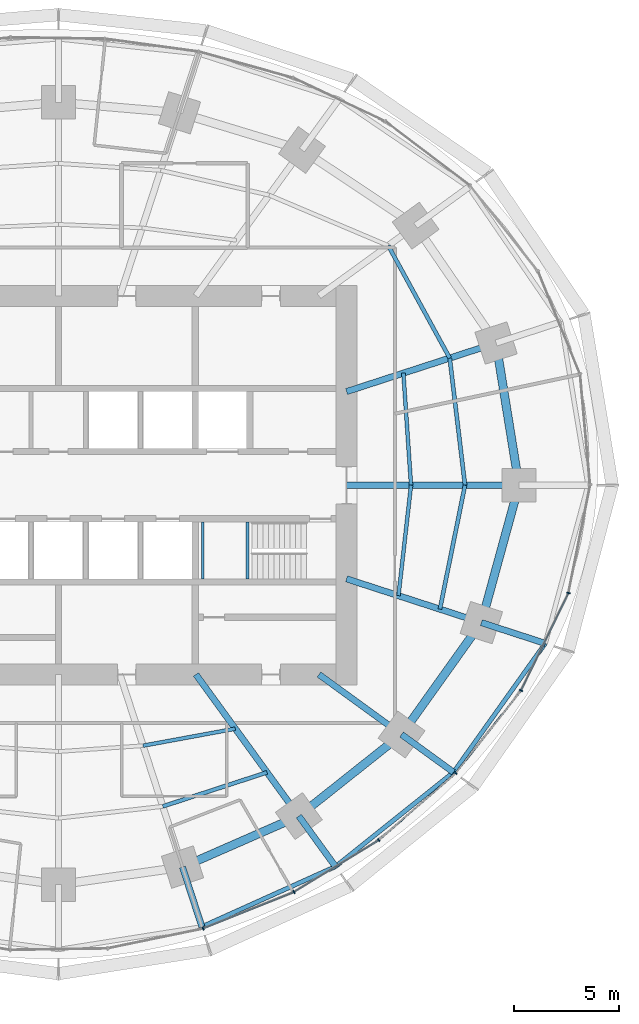
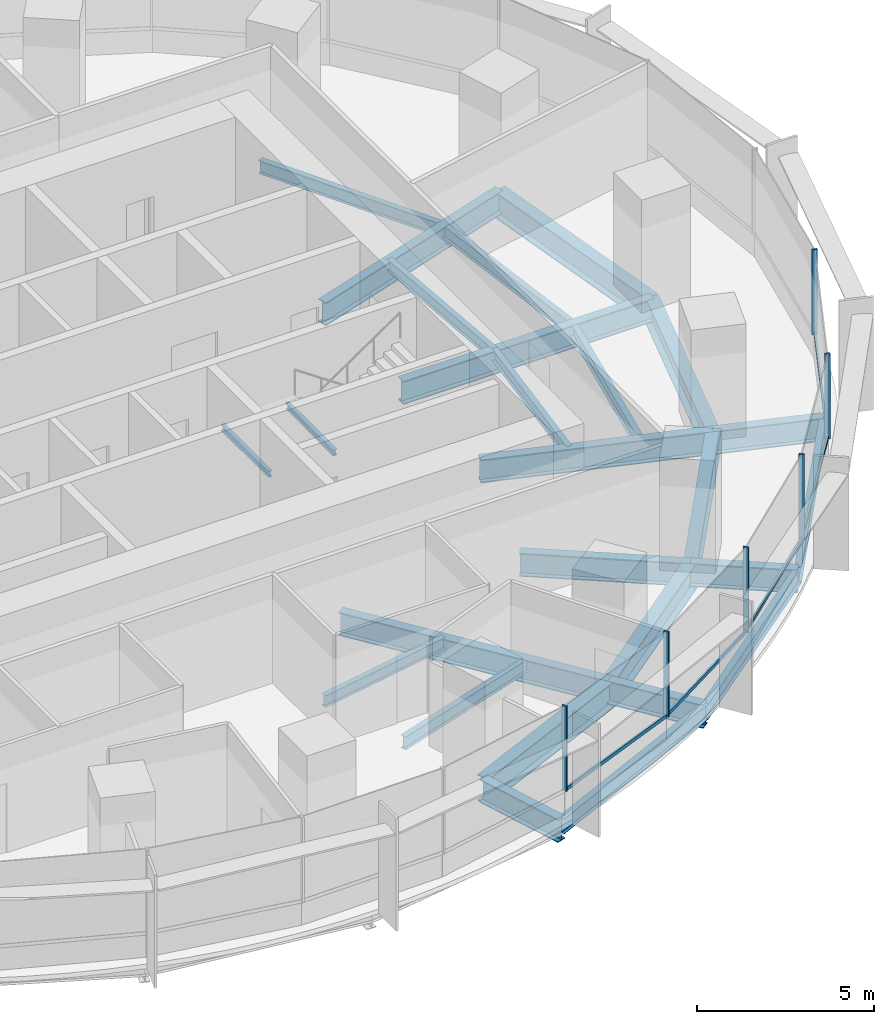
# One storey, part 5 of 14: 26 beams, 11 members, 2 elements without a shape of their own.
"""IFC4 building model written with IfcOpenShell, lengths in metres."""

from ifc_helpers import new_model, si_unit, direction, frame, origin, origin_2d, place, context, subcontext, project, spatial, rectangle, i_section, extrude, material, material_profile, profile_set, type_object, element, aggregate, save


model = new_model("IFC4")

# Units and contexts
model_context = context("Model", 3, precision=1e-05, world=origin(), true_north=direction((0.0, 1.0)))
body_context = subcontext(model_context, "Body", "Model", "MODEL_VIEW")
ifc_project = project(units=[si_unit("LENGTHUNIT", "METRE"), si_unit("AREAUNIT", "SQUARE_METRE"), si_unit("VOLUMEUNIT", "CUBIC_METRE"), si_unit("PLANEANGLEUNIT", "RADIAN"), si_unit("MASSUNIT", "GRAM", prefix="KILO")], contexts=[model_context])

# Site, building, storey
site_placement = place(None, origin())
site = spatial("IfcSite", under=ifc_project, at=site_placement, CompositionType="ELEMENT")
building_placement = place(site_placement, origin())
building = spatial("IfcBuilding", under=site, at=building_placement, Name="Marramba Exchange Tower", CompositionType="ELEMENT")
storey_placement = place(building_placement, frame((0.0, 0.0, 111.89990234375)))
storey = spatial("IfcBuildingStorey", under=building, at=storey_placement, Name="L26", CompositionType="ELEMENT", Elevation=111.89990234375)

# Beams
ifc_material_1 = material(Name="Steel AS/NZS 3679.2 grade 300", Category="steel")
ifc_material_profile_1 = material_profile(ifc_material_1, i_section(OverallWidth=0.300048828125, OverallDepth=0.800048828125, WebThickness=0.013916015625, FlangeThickness=0.031982421875, at=origin_2d()), Name="800WB192")
ifc_profile_set_1 = profile_set([ifc_material_profile_1], Name="Steel AS/NZS 3679.2 grade 300")
beam_type_1 = type_object("IfcBeamType", Name="Cantilever girder 800WB192", PredefinedType="BEAM", material=ifc_profile_set_1)
beam_1_placement = place(storey_placement, frame((5.899658203125, -18.156982421875, -0.559814453125), z_axis=(0.30903246226, -0.951051490336, 0.0), x_axis=(0.951051490336, 0.30903246226, 0.0)))
element("IfcBeam", 1, at=beam_1_placement, inside=storey, type_object=beam_type_1, Name="Cantilever girder L26 TC17", PredefinedType="BEAM", context=body_context, shape_type="SweptSolid", body=[
    extrude(i_section(OverallWidth=0.300048828125, OverallDepth=0.800048828125, WebThickness=0.013916015625, FlangeThickness=0.031982421875, at=origin_2d()), origin(), (0.0, 0.0, 1.0), 2.986328125),
])
beam_2_placement = place(storey_placement, frame((11.430419921875, -15.732666015625, -0.559814453125), z_axis=(0.587794986183, -0.8090099222, 0.0), x_axis=(0.8090099222, 0.587794986183, 0.0)))
element("IfcBeam", 2, at=beam_2_placement, inside=storey, type_object=beam_type_1, Name="Cantilever girder L26 TC18", PredefinedType="BEAM", context=body_context, shape_type="SweptSolid", body=[
    extrude(i_section(OverallWidth=0.300048828125, OverallDepth=0.800048828125, WebThickness=0.013916015625, FlangeThickness=0.031982421875, at=origin_2d()), origin(), (0.0, 0.0, 1.0), 2.9677734375),
])
beam_3_placement = place(storey_placement, frame((16.3154296875, -11.853759765625, -0.559814453125), z_axis=(0.809026231081, -0.587772538847, 0.0), x_axis=(0.587772538847, 0.809026231081, 0.0)))
element("IfcBeam", 3, at=beam_3_placement, inside=storey, type_object=beam_type_1, Name="Cantilever girder L26 TC19", PredefinedType="BEAM", context=body_context, shape_type="SweptSolid", body=[
    extrude(i_section(OverallWidth=0.300048828125, OverallDepth=0.800048828125, WebThickness=0.013916015625, FlangeThickness=0.031982421875, at=origin_2d()), origin(), (0.0, 0.0, 1.0), 3.055419921875),
])
beam_4_placement = place(storey_placement, frame((20.109375, -6.533935546875, -0.559814453125), z_axis=(0.951054839063, -0.309022156318, 0.0), x_axis=(0.309022156318, 0.951054839063, 0.0)))
element("IfcBeam", 4, at=beam_4_placement, inside=storey, type_object=beam_type_1, Name="Cantilever girder L26 TC20", PredefinedType="BEAM", context=body_context, shape_type="SweptSolid", body=[
    extrude(i_section(OverallWidth=0.300048828125, OverallDepth=0.800048828125, WebThickness=0.013916015625, FlangeThickness=0.031982421875, at=origin_2d()), origin(), (0.0, 0.0, 1.0), 3.19580078125),
])
ifc_material_2 = material(Name="Steel AS/NZS 3679.1 grade 300", Category="steel")
ifc_material_profile_2 = material_profile(ifc_material_2, i_section(OverallWidth=0.177978515625, OverallDepth=0.406005859375, WebThickness=0.0078125, FlangeThickness=0.0126953125, FilletRadius=0.011474609375, at=origin_2d()), Name="410UB59.7")
ifc_profile_set_2 = profile_set([ifc_material_profile_2], Name="Steel AS/NZS 3679.1 grade 300")
beam_type_2 = type_object("IfcBeamType", Name="Floor joist 410UB59.7", PredefinedType="JOIST", material=ifc_profile_set_2)
beam_5_placement = place(storey_placement, frame((16.7666015625, 0.0, -0.36279296875), z_axis=(-0.068096259546, 0.99767875563, 0.0), x_axis=(-0.99767875563, -0.068096259546, 0.0)))
element("IfcBeam", 5, at=beam_5_placement, inside=storey, type_object=beam_type_2, Name="Joist L26 bay 01 row 1", PredefinedType="JOIST", context=body_context, shape_type="SweptSolid", body=[
    extrude(i_section(OverallWidth=0.177978515625, OverallDepth=0.406005859375, WebThickness=0.0078125, FlangeThickness=0.0126953125, FilletRadius=0.011474609375, at=origin_2d()), origin(), (0.0, 0.0, 1.0), 5.342041015625),
])
beam_6_placement = place(storey_placement, frame((4.0244140625, -12.3857421875, -0.36279296875), z_axis=(0.983455754421, 0.181148500119, 0.0), x_axis=(-0.181148500119, 0.983455754421, 0.0)))
element("IfcBeam", 6, at=beam_6_placement, inside=storey, type_object=beam_type_2, Name="Joist L26 bay 17 row 1", PredefinedType="JOIST", context=body_context, shape_type="SweptSolid", body=[
    extrude(i_section(OverallWidth=0.177978515625, OverallDepth=0.406005859375, WebThickness=0.0078125, FlangeThickness=0.0126953125, FilletRadius=0.011474609375, at=origin_2d()), origin(), (0.0, 0.0, 1.0), 4.4609375),
])
beam_7_placement = place(storey_placement, frame((16.169677734375, -5.25390625, -0.36279296875), z_axis=(0.112888968594, 0.993607609054, 0.0), x_axis=(-0.993607609054, 0.112888968594, 0.0)))
element("IfcBeam", 7, at=beam_7_placement, inside=storey, type_object=beam_type_2, Name="Joist L26 bay 20 row 1", PredefinedType="JOIST", context=body_context, shape_type="SweptSolid", body=[
    extrude(i_section(OverallWidth=0.177978515625, OverallDepth=0.406005859375, WebThickness=0.0078125, FlangeThickness=0.0126953125, FilletRadius=0.011474609375, at=origin_2d()), origin(), (0.0, 0.0, 1.0), 5.28759765625),
])
ifc_material_profile_3 = material_profile(ifc_material_2, i_section(OverallWidth=0.18994140625, OverallDepth=0.4541015625, WebThickness=0.008544921875, FlangeThickness=0.0126953125, FilletRadius=0.011474609375, at=origin_2d()), Name="460UB67.1")
ifc_profile_set_3 = profile_set([ifc_material_profile_3], Name="Steel AS/NZS 3679.1 grade 300")
beam_type_3 = type_object("IfcBeamType", Name="Floor joist 460UB67.1", PredefinedType="JOIST", material=ifc_profile_set_3)
beam_8_placement = place(storey_placement, frame((19.333251953125, 0.0, -0.386962890625), z_axis=(-0.119523078538, 0.992831422597, 0.0), x_axis=(-0.992831422597, -0.119523078538, 0.0)))
element("IfcBeam", 8, at=beam_8_placement, inside=storey, type_object=beam_type_3, Name="Joist L26 bay 01 row 2", PredefinedType="JOIST", context=body_context, shape_type="SweptSolid", body=[
    extrude(i_section(OverallWidth=0.18994140625, OverallDepth=0.4541015625, WebThickness=0.008544921875, FlangeThickness=0.0126953125, FilletRadius=0.011474609375, at=origin_2d()), origin(), (0.0, 0.0, 1.0), 6.089111328125),
])
beam_9_placement = place(storey_placement, frame((18.60546875, 6.04541015625, -0.386962890625), z_axis=(-0.479584443791, 0.877495732909, 0.0), x_axis=(-0.877495732909, -0.479584443791, 0.0)))
element("IfcBeam", 9, at=beam_9_placement, inside=storey, type_object=beam_type_3, Name="Joist L26 bay 02 row 2", PredefinedType="JOIST", context=body_context, shape_type="SweptSolid", body=[
    extrude(i_section(OverallWidth=0.18994140625, OverallDepth=0.4541015625, WebThickness=0.008544921875, FlangeThickness=0.0126953125, FilletRadius=0.011474609375, at=origin_2d()), origin(), (0.0, 0.0, 1.0), 6.094970703125),
])
beam_10_placement = place(storey_placement, frame((4.9619140625, -15.271484375, -0.386962890625), z_axis=(0.950764024931, 0.309915744834, 0.0), x_axis=(-0.309915744834, 0.950764024931, 0.0)))
element("IfcBeam", 10, at=beam_10_placement, inside=storey, type_object=beam_type_3, Name="Joist L26 bay 17 row 2", PredefinedType="JOIST", context=body_context, shape_type="SweptSolid", body=[
    extrude(i_section(OverallWidth=0.18994140625, OverallDepth=0.4541015625, WebThickness=0.008544921875, FlangeThickness=0.0126953125, FilletRadius=0.011474609375, at=origin_2d()), origin(), (0.0, 0.0, 1.0), 5.2158203125),
])
beam_11_placement = place(storey_placement, frame((18.1396484375, -5.893798828125, -0.386962890625), z_axis=(0.198489047047, 0.980103105904, 0.0), x_axis=(-0.980103105904, 0.198489047047, 0.0)))
element("IfcBeam", 11, at=beam_11_placement, inside=storey, type_object=beam_type_3, Name="Joist L26 bay 20 row 2", PredefinedType="JOIST", context=body_context, shape_type="SweptSolid", body=[
    extrude(i_section(OverallWidth=0.18994140625, OverallDepth=0.4541015625, WebThickness=0.008544921875, FlangeThickness=0.0126953125, FilletRadius=0.011474609375, at=origin_2d()), origin(), (0.0, 0.0, 1.0), 6.013427734375),
])

# Curtain wall, member
ifc_material_3 = material(Name="Aluminium framing, bronze anodised", Category="aluminium")
curtain_wall_type = type_object("IfcCurtainWallType", Name="Office ribbon curtain wall", PredefinedType="USERDEFINED", material=ifc_material_3)
curtain_wall_1_placement = place(storey_placement, origin())
curtain_wall_1 = element("IfcCurtainWall", 12, at=curtain_wall_1_placement, inside=storey, type_object=curtain_wall_type, Name="Curtain wall CW4 L26 F21-F25", ObjectType="RIBBON CURTAIN WALL", PredefinedType="USERDEFINED")
ifc_material_4 = material(Name="Aluminium mullion, bronze anodised", Category="aluminium")
ifc_material_profile_4 = material_profile(ifc_material_4, rectangle(XDim=0.159912109375, YDim=0.06005859375, at=origin_2d()), Name="CW4 mullion 60x160")
ifc_profile_set_4 = profile_set([ifc_material_profile_4], Name="Aluminium mullion, bronze anodised")
member_type_1 = type_object("IfcMemberType", Name="Office ribbon curtain wall mullion", PredefinedType="MULLION", material=ifc_profile_set_4)
member_1_placement = place(storey_placement, frame((6.881103515625, -21.0810546875, 0.800048828125), z_axis=(0.0, 0.0, 1.0), x_axis=(-0.372209067082, 0.928148916059, 0.0)))
member_1 = element("IfcMember", 13, at=member_1_placement, type_object=member_type_1, Name="CW4 mullion 1", PredefinedType="MULLION", context=body_context, shape_type="SweptSolid", body=[
    extrude(rectangle(XDim=0.159912109375, YDim=0.06005859375, at=origin_2d()), origin(), (0.0, 0.0, 1.0), 2.93994140625),
])

# Curtain wall, members
curtain_wall_2_placement = place(storey_placement, origin())
curtain_wall_2 = element("IfcCurtainWall", 14, at=curtain_wall_2_placement, inside=storey, type_object=curtain_wall_type, Name="Curtain wall CW4 L26 F26-F30", ObjectType="RIBBON CURTAIN WALL", PredefinedType="USERDEFINED")
member_2_placement = place(storey_placement, frame((11.2021484375, -19.3427734375, 0.800048828125), z_axis=(0.0, 0.0, 1.0), x_axis=(-0.521732535664, 0.853109114492, 0.0)))
member_2 = element("IfcMember", 15, at=member_2_placement, type_object=member_type_1, Name="CW4 mullion 1", PredefinedType="MULLION", context=body_context, shape_type="SweptSolid", body=[
    extrude(rectangle(XDim=0.159912109375, YDim=0.06005859375, at=origin_2d()), origin(), (0.0, 0.0, 1.0), 2.93994140625),
])
member_3_placement = place(storey_placement, frame((15.232177734375, -16.872314453125, 0.800048828125), z_axis=(0.0, 0.0, 1.0), x_axis=(-0.656431647438, 0.754385506384, 0.0)))
member_3 = element("IfcMember", 16, at=member_3_placement, type_object=member_type_1, Name="CW4 mullion 1", PredefinedType="MULLION", context=body_context, shape_type="SweptSolid", body=[
    extrude(rectangle(XDim=0.159912109375, YDim=0.06005859375, at=origin_2d()), origin(), (0.0, 0.0, 1.0), 2.93994140625),
])
member_4_placement = place(storey_placement, frame((18.886962890625, -13.68505859375, 0.800048828125), z_axis=(0.0, 0.0, 1.0), x_axis=(-0.783170139469, 0.621807472329, 0.0)))
member_4 = element("IfcMember", 17, at=member_4_placement, type_object=member_type_1, Name="CW4 mullion 1", PredefinedType="MULLION", context=body_context, shape_type="SweptSolid", body=[
    extrude(rectangle(XDim=0.159912109375, YDim=0.06005859375, at=origin_2d()), origin(), (0.0, 0.0, 1.0), 2.93994140625),
])
member_5_placement = place(storey_placement, frame((21.994873046875, -9.760009765625, 0.800048828125), z_axis=(0.0, 0.0, 1.0), x_axis=(-0.89844486976, 0.439086342308, 0.0)))
member_5 = element("IfcMember", 18, at=member_5_placement, type_object=member_type_1, Name="CW4 mullion 1", PredefinedType="MULLION", context=body_context, shape_type="SweptSolid", body=[
    extrude(rectangle(XDim=0.159912109375, YDim=0.06005859375, at=origin_2d()), origin(), (0.0, 0.0, 1.0), 2.93994140625),
])
member_6_placement = place(storey_placement, frame((24.252197265625, -5.124267578125, 0.800048828125), z_axis=(0.0, 0.0, 1.0), x_axis=(-0.980393739376, 0.197048511267, 0.0)))
member_6 = element("IfcMember", 19, at=member_6_placement, type_object=member_type_1, Name="CW4 mullion 1", PredefinedType="MULLION", context=body_context, shape_type="SweptSolid", body=[
    extrude(rectangle(XDim=0.159912109375, YDim=0.06005859375, at=origin_2d()), origin(), (0.0, 0.0, 1.0), 2.93994140625),
])

# Member
ifc_material_5 = material(Name="Aluminium transom, bronze anodised", Category="aluminium")
ifc_material_profile_5 = material_profile(ifc_material_5, rectangle(XDim=0.06005859375, YDim=0.1201171875, at=origin_2d()), Name="CW4 transom 60x120")
ifc_profile_set_5 = profile_set([ifc_material_profile_5], Name="Aluminium transom, bronze anodised")
member_type_2 = type_object("IfcMemberType", Name="Office ribbon curtain wall transom", PredefinedType="USERDEFINED", material=ifc_profile_set_5)
member_7_placement = place(storey_placement, frame((6.908935546875, -21.06982421875, 0.830078125), z_axis=(0.928146753748, 0.372214459026, 0.0), x_axis=(-0.372214459026, 0.928146753748, 0.0)))
member_7 = element("IfcMember", 20, at=member_7_placement, type_object=member_type_2, Name="CW4 sill transom", ObjectType="TRANSOM", PredefinedType="USERDEFINED", context=body_context, shape_type="SweptSolid", body=[
    extrude(rectangle(XDim=0.06005859375, YDim=0.1201171875, at=origin_2d()), origin(), (0.0, 0.0, 1.0), 4.597900390625),
])

aggregate(curtain_wall_1, [member_1, member_7])

member_8_placement = place(storey_placement, frame((11.227783203125, -19.3271484375, 0.830078125), z_axis=(0.853124051379, 0.52170811088, 0.0), x_axis=(-0.52170811088, 0.853124051379, 0.0)))
member_8 = element("IfcMember", 21, at=member_8_placement, type_object=member_type_2, Name="CW4 sill transom", ObjectType="TRANSOM", PredefinedType="USERDEFINED", context=body_context, shape_type="SweptSolid", body=[
    extrude(rectangle(XDim=0.06005859375, YDim=0.1201171875, at=origin_2d()), origin(), (0.0, 0.0, 1.0), 4.66748046875),
])

member_9_placement = place(storey_placement, frame((15.2548828125, -16.8525390625, 0.830078125), z_axis=(0.754392594189, 0.65642350189, 0.0), x_axis=(-0.65642350189, 0.754392594189, 0.0)))
member_9 = element("IfcMember", 22, at=member_9_placement, type_object=member_type_2, Name="CW4 sill transom", ObjectType="TRANSOM", PredefinedType="USERDEFINED", context=body_context, shape_type="SweptSolid", body=[
    extrude(rectangle(XDim=0.06005859375, YDim=0.1201171875, at=origin_2d()), origin(), (0.0, 0.0, 1.0), 4.78955078125),
])

member_10_placement = place(storey_placement, frame((18.905517578125, -13.66162109375, 0.830078125), z_axis=(0.621777997945, 0.783193540111, 0.0), x_axis=(-0.783193540111, 0.621777997945, 0.0)))
member_10 = element("IfcMember", 23, at=member_10_placement, type_object=member_type_2, Name="CW4 sill transom", ObjectType="TRANSOM", PredefinedType="USERDEFINED", context=body_context, shape_type="SweptSolid", body=[
    extrude(rectangle(XDim=0.06005859375, YDim=0.1201171875, at=origin_2d()), origin(), (0.0, 0.0, 1.0), 4.947265625),
])

member_11_placement = place(storey_placement, frame((22.008056640625, -9.73291015625, 0.830078125), z_axis=(0.439090714557, 0.898442732949, 0.0), x_axis=(-0.898442732949, 0.439090714557, 0.0)))
member_11 = element("IfcMember", 24, at=member_11_placement, type_object=member_type_2, Name="CW4 sill transom", ObjectType="TRANSOM", PredefinedType="USERDEFINED", context=body_context, shape_type="SweptSolid", body=[
    extrude(rectangle(XDim=0.06005859375, YDim=0.1201171875, at=origin_2d()), origin(), (0.0, 0.0, 1.0), 5.096923828125),
])

aggregate(curtain_wall_2, [member_2, member_8, member_3, member_9, member_4, member_10, member_5, member_11, member_6])

# Beams
ifc_material_profile_6 = material_profile(ifc_material_1, i_section(OverallWidth=0.300048828125, OverallDepth=0.800048828125, WebThickness=0.013916015625, FlangeThickness=0.031982421875, at=origin_2d()), Name="800WB192")
ifc_profile_set_6 = profile_set([ifc_material_profile_6], Name="Steel AS/NZS 3679.2 grade 300")
beam_type_4 = type_object("IfcBeamType", Name="Radial girder 800WB192", PredefinedType="BEAM", material=ifc_profile_set_6)
beam_12_placement = place(storey_placement, frame((13.699951171875, 0.0, -0.559814453125), z_axis=(1.0, 0.0, 0.0), x_axis=(0.0, 1.0, 0.0)))
element("IfcBeam", 25, at=beam_12_placement, inside=storey, type_object=beam_type_4, Name="Radial girder L26 TC01", PredefinedType="BEAM", context=body_context, shape_type="SweptSolid", body=[
    extrude(i_section(OverallWidth=0.300048828125, OverallDepth=0.800048828125, WebThickness=0.013916015625, FlangeThickness=0.031982421875, at=origin_2d()), origin(), (0.0, 0.0, 1.0), 8.199951171875),
])
beam_13_placement = place(storey_placement, frame((13.699951171875, 4.451416015625, -0.559814453125), z_axis=(0.951059990189, 0.309006302624, 0.0), x_axis=(-0.309006302624, 0.951059990189, 0.0)))
element("IfcBeam", 26, at=beam_13_placement, inside=storey, type_object=beam_type_4, Name="Radial girder L26 TC02", PredefinedType="BEAM", context=body_context, shape_type="SweptSolid", body=[
    extrude(i_section(OverallWidth=0.300048828125, OverallDepth=0.800048828125, WebThickness=0.013916015625, FlangeThickness=0.031982421875, at=origin_2d()), origin(), (0.0, 0.0, 1.0), 7.47412109375),
])
beam_14_placement = place(storey_placement, frame((6.538818359375, -9.0, -0.559814453125), z_axis=(0.587787877172, -0.809015087282, 0.0), x_axis=(0.809015087282, 0.587787877172, 0.0)))
element("IfcBeam", 27, at=beam_14_placement, inside=storey, type_object=beam_type_4, Name="Radial girder L26 TC18", PredefinedType="BEAM", context=body_context, shape_type="SweptSolid", body=[
    extrude(i_section(OverallWidth=0.300048828125, OverallDepth=0.800048828125, WebThickness=0.013916015625, FlangeThickness=0.031982421875, at=origin_2d()), origin(), (0.0, 0.0, 1.0), 8.322021484375),
])
beam_15_placement = place(storey_placement, frame((12.387451171875, -9.0, -0.559814453125), z_axis=(0.809025189606, -0.58777397236, 0.0), x_axis=(0.58777397236, 0.809025189606, 0.0)))
element("IfcBeam", 28, at=beam_15_placement, inside=storey, type_object=beam_type_4, Name="Radial girder L26 TC19", PredefinedType="BEAM", context=body_context, shape_type="SweptSolid", body=[
    extrude(i_section(OverallWidth=0.300048828125, OverallDepth=0.800048828125, WebThickness=0.013916015625, FlangeThickness=0.031982421875, at=origin_2d()), origin(), (0.0, 0.0, 1.0), 4.855224609375),
])
beam_16_placement = place(storey_placement, frame((13.699951171875, -4.451416015625, -0.559814453125), z_axis=(0.951057759669, -0.309013167637, 0.0), x_axis=(0.309013167637, 0.951057759669, 0.0)))
element("IfcBeam", 29, at=beam_16_placement, inside=storey, type_object=beam_type_4, Name="Radial girder L26 TC20", PredefinedType="BEAM", context=body_context, shape_type="SweptSolid", body=[
    extrude(i_section(OverallWidth=0.300048828125, OverallDepth=0.800048828125, WebThickness=0.013916015625, FlangeThickness=0.031982421875, at=origin_2d()), origin(), (0.0, 0.0, 1.0), 6.7392578125),
])
ifc_material_profile_7 = material_profile(ifc_material_1, i_section(OverallWidth=0.39990234375, OverallDepth=0.89990234375, WebThickness=0.01611328125, FlangeThickness=0.031982421875, at=origin_2d()), Name="900WB282")
ifc_profile_set_7 = profile_set([ifc_material_profile_7], Name="Steel AS/NZS 3679.2 grade 300")
beam_type_5 = type_object("IfcBeamType", Name="Ring beam 900WB282", PredefinedType="SPANDREL", material=ifc_profile_set_7)
beam_17_placement = place(storey_placement, frame((21.89990234375, 0.0, -0.60986328125), z_axis=(-0.159384865399, 0.987216523708, 0.0), x_axis=(-0.987216523708, -0.159384865399, 0.0)))
element("IfcBeam", 30, at=beam_17_placement, inside=storey, type_object=beam_type_5, Name="Ring beam L26 TC01-TC02", PredefinedType="SPANDREL", context=body_context, shape_type="SweptSolid", body=[
    extrude(i_section(OverallWidth=0.39990234375, OverallDepth=0.89990234375, WebThickness=0.01611328125, FlangeThickness=0.031982421875, at=origin_2d()), origin(), (0.0, 0.0, 1.0), 6.8486328125),
])
beam_18_placement = place(storey_placement, frame((5.899658203125, -18.156982421875, -0.60986328125), z_axis=(0.915876892158, 0.4014592363, 0.0), x_axis=(-0.4014592363, 0.915876892158, 0.0)))
element("IfcBeam", 31, at=beam_18_placement, inside=storey, type_object=beam_type_5, Name="Ring beam L26 TC17-TC18", PredefinedType="SPANDREL", context=body_context, shape_type="SweptSolid", body=[
    extrude(i_section(OverallWidth=0.39990234375, OverallDepth=0.89990234375, WebThickness=0.01611328125, FlangeThickness=0.031982421875, at=origin_2d()), origin(), (0.0, 0.0, 1.0), 6.038818359375),
])
beam_19_placement = place(storey_placement, frame((11.430419921875, -15.732666015625, -0.60986328125), z_axis=(0.783139438128, 0.621846138887, 0.0), x_axis=(-0.621846138887, 0.783139438128, 0.0)))
element("IfcBeam", 32, at=beam_19_placement, inside=storey, type_object=beam_type_5, Name="Ring beam L26 TC18-TC19", PredefinedType="SPANDREL", context=body_context, shape_type="SweptSolid", body=[
    extrude(i_section(OverallWidth=0.39990234375, OverallDepth=0.89990234375, WebThickness=0.01611328125, FlangeThickness=0.031982421875, at=origin_2d()), origin(), (0.0, 0.0, 1.0), 6.23779296875),
])
beam_20_placement = place(storey_placement, frame((16.3154296875, -11.853759765625, -0.60986328125), z_axis=(0.580637181111, 0.814162430914, 0.0), x_axis=(-0.814162430914, 0.580637181111, 0.0)))
element("IfcBeam", 33, at=beam_20_placement, inside=storey, type_object=beam_type_5, Name="Ring beam L26 TC19-TC20", PredefinedType="SPANDREL", context=body_context, shape_type="SweptSolid", body=[
    extrude(i_section(OverallWidth=0.39990234375, OverallDepth=0.89990234375, WebThickness=0.01611328125, FlangeThickness=0.031982421875, at=origin_2d()), origin(), (0.0, 0.0, 1.0), 6.5341796875),
])
beam_21_placement = place(storey_placement, frame((20.109375, -6.533935546875, -0.60986328125), z_axis=(0.264291166956, 0.964442937176, 0.0), x_axis=(-0.964442937176, 0.264291166956, 0.0)))
element("IfcBeam", 34, at=beam_21_placement, inside=storey, type_object=beam_type_5, Name="Ring beam L26 TC20-TC01", PredefinedType="SPANDREL", context=body_context, shape_type="SweptSolid", body=[
    extrude(i_section(OverallWidth=0.39990234375, OverallDepth=0.89990234375, WebThickness=0.01611328125, FlangeThickness=0.031982421875, at=origin_2d()), origin(), (0.0, 0.0, 1.0), 6.77490234375),
])
ifc_material_profile_8 = material_profile(ifc_material_2, i_section(OverallWidth=0.208984375, OverallDepth=0.528076171875, WebThickness=0.009521484375, FlangeThickness=0.01318359375, FilletRadius=0.013916015625, at=origin_2d()), Name="530UB82.0")
ifc_profile_set_8 = profile_set([ifc_material_profile_8], Name="Steel AS/NZS 3679.1 grade 300")
beam_type_6 = type_object("IfcBeamType", Name="Slab edge beam 530UB82.0", PredefinedType="SPANDREL", material=ifc_profile_set_8)
beam_22_placement = place(storey_placement, frame((6.822509765625, -20.9970703125, -0.423828125), z_axis=(0.911653171624, 0.410960453898, 0.0), x_axis=(-0.410960453898, 0.911653171624, 0.0)))
element("IfcBeam", 35, at=beam_22_placement, inside=storey, type_object=beam_type_6, Name="Slab edge beam L26 TC17-TC18", PredefinedType="SPANDREL", context=body_context, shape_type="SweptSolid", body=[
    extrude(i_section(OverallWidth=0.208984375, OverallDepth=0.528076171875, WebThickness=0.009521484375, FlangeThickness=0.01318359375, FilletRadius=0.013916015625, at=origin_2d()), origin(), (0.0, 0.0, 1.0), 6.9677734375),
])
beam_23_placement = place(storey_placement, frame((13.1748046875, -18.133544921875, -0.423828125), z_axis=(0.781286404457, 0.624172695822, 0.0), x_axis=(-0.624172695822, 0.781286404457, 0.0)))
element("IfcBeam", 36, at=beam_23_placement, inside=storey, type_object=beam_type_6, Name="Slab edge beam L26 TC18-TC19", PredefinedType="SPANDREL", context=body_context, shape_type="SweptSolid", body=[
    extrude(i_section(OverallWidth=0.208984375, OverallDepth=0.528076171875, WebThickness=0.009521484375, FlangeThickness=0.01318359375, FilletRadius=0.013916015625, at=origin_2d()), origin(), (0.0, 0.0, 1.0), 7.183837890625),
])
beam_24_placement = place(storey_placement, frame((18.787353515625, -13.649658203125, -0.423828125), z_axis=(0.579834168245, 0.814734519543, 0.0), x_axis=(-0.814734519543, 0.579834168245, 0.0)))
element("IfcBeam", 37, at=beam_24_placement, inside=storey, type_object=beam_type_6, Name="Slab edge beam L26 TC19-TC20", PredefinedType="SPANDREL", context=body_context, shape_type="SweptSolid", body=[
    extrude(i_section(OverallWidth=0.208984375, OverallDepth=0.528076171875, WebThickness=0.009521484375, FlangeThickness=0.01318359375, FilletRadius=0.013916015625, at=origin_2d()), origin(), (0.0, 0.0, 1.0), 7.521728515625),
])
ifc_material_profile_9 = material_profile(ifc_material_2, i_section(OverallWidth=0.133056640625, OverallDepth=0.202880859375, WebThickness=0.005859375, FlangeThickness=0.0078125, FilletRadius=0.0087890625, at=origin_2d()), Name="200UB25.4")
ifc_profile_set_9 = profile_set([ifc_material_profile_9], Name="Steel AS/NZS 3679.1 grade 300")
beam_type_7 = type_object("IfcBeamType", Name="Stair landing beam 200UB25.4", PredefinedType="BEAM", material=ifc_profile_set_9)
for number, where, z_axis, x_axis, name in (
    (38, (6.866455078125, -4.449951171875, 1.648681640625), (0.0, 1.0, 0.0), (-1.0, 0.0, 0.0), "Stair landing beam SLB1 ST2 L26 1"),
    (39, (8.9833984375, -4.449951171875, 1.648681640625), (0.0, 1.0, 0.0), (-1.0, 0.0, 0.0), "Stair landing beam SLB1 ST2 L26 2"),
):
    element("IfcBeam", number, at=place(storey_placement, frame(where, z_axis=z_axis, x_axis=x_axis)), inside=storey, type_object=beam_type_7, Name=name, PredefinedType="BEAM", context=body_context, shape_type="SweptSolid", body=[
        extrude(i_section(OverallWidth=0.133056640625, OverallDepth=0.202880859375, WebThickness=0.005859375, FlangeThickness=0.0078125, FilletRadius=0.0087890625, at=origin_2d()), origin(), (0.0, 0.0, 1.0), 2.699951171875),
    ])

save(model, "model.ifc")
